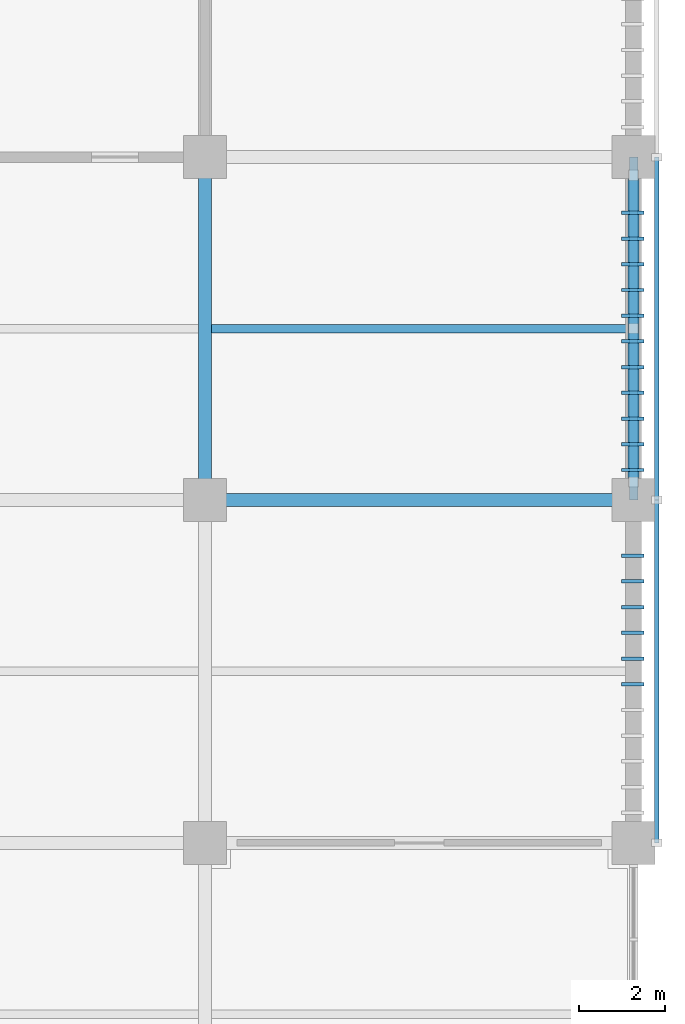
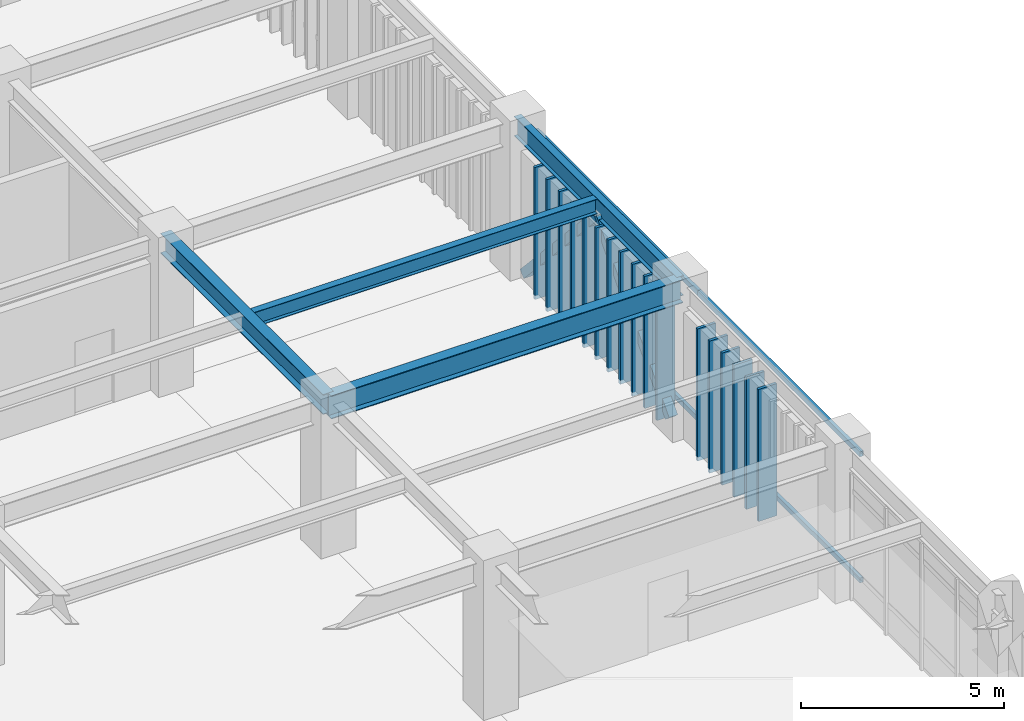
# One storey, part 34 of 117: 23 members, 4 beams.
"""IFC4 building model written with IfcOpenShell, lengths in metres."""

import ifcopenshell
import ifcopenshell.guid

model = None  # the IFC model being written
_history = None  # IfcOwnerHistory: only IFC2X3 demands one
_inside = {}  # id of a spatial element -> (the spatial element, [elements in it])
_under = {}  # id of a project, library or spatial element -> (it, [spatial elements below it])
_declared = {}  # id of a project -> (the project, [libraries it declares])
_typed = {}  # id of a type object -> (the type object, [elements of that type])
_made_of = {}  # id of a material, layer set ... -> (it, [elements and type objects made of it])


def new_model(schema):
    """Start an empty IFC model of exactly this schema.

    Asked for "IFC4X3", IfcOpenShell would pick the latest addendum, in which some entities
    have other attributes; the version numbers below select the first issue.
    IFC2X3 requires an IfcOwnerHistory on every rooted entity: one is made here for all.
    """
    global model, _history
    if schema == "IFC4X3":
        model = ifcopenshell.file(schema_version=(4, 3, 0, 0))
    else:
        model = ifcopenshell.file(schema=schema)
    _inside.clear()
    _under.clear()
    _declared.clear()
    _typed.clear()
    _made_of.clear()
    _history = None
    if model.schema == "IFC2X3":
        org = make("IfcOrganization", Name="unknown")
        user = make(
            "IfcPersonAndOrganization",
            ThePerson=make("IfcPerson", FamilyName="unknown"),
            TheOrganization=org,
        )
        app = make(
            "IfcApplication",
            ApplicationDeveloper=org,
            Version="unknown",
            ApplicationFullName="unknown",
            ApplicationIdentifier="unknown",
        )
        _history = make(
            "IfcOwnerHistory",
            OwningUser=user,
            OwningApplication=app,
            ChangeAction="ADDED",
            CreationDate=0,
        )
    return model


def make(cls, **values):
    """One entity of the class cls with the attributes given. An attribute that is None is left unset."""
    return model.create_entity(
        cls, **{name: value for name, value in values.items() if value is not None}
    )


def rooted(cls, **values):
    """An entity with a GlobalId (a new one), such as an element, a storey or a relation."""
    return make(cls, GlobalId=ifcopenshell.guid.new(), OwnerHistory=_history, **values)


def si_unit(unit_type, name, prefix=None):
    """IfcSIUnit, for example si_unit("LENGTHUNIT", "METRE", prefix="MILLI")."""
    return make("IfcSIUnit", UnitType=unit_type, Prefix=prefix, Name=name)


def assignment(units):
    """IfcUnitAssignment: the units of a project."""
    return None if units is None else make("IfcUnitAssignment", Units=units)


def point(xyz):
    """IfcCartesianPoint."""
    return None if xyz is None else make("IfcCartesianPoint", Coordinates=xyz)


def direction(xyz):
    """IfcDirection."""
    return None if xyz is None else make("IfcDirection", DirectionRatios=xyz)


def frame(location, z_axis=None, x_axis=None):
    """IfcAxis2Placement3D, a coordinate frame: its origin and axes. An axis left out is left unset."""
    return make(
        "IfcAxis2Placement3D",
        Location=point(location),
        Axis=direction(z_axis),
        RefDirection=direction(x_axis),
    )


def frame_2d(location, x_axis=None):
    """IfcAxis2Placement2D, a coordinate frame in the plane: its origin and x axis."""
    return make(
        "IfcAxis2Placement2D", Location=point(location), RefDirection=direction(x_axis)
    )


def origin():
    """The frame at (0, 0, 0) with its axes left unset."""
    return frame((0.0, 0.0, 0.0))


def origin_2d():
    """The frame at (0, 0) in the plane with its x axis left unset."""
    return frame_2d((0.0, 0.0))


def place(relative_to, where):
    """IfcLocalPlacement: puts the frame where relative to a parent placement (None: the world)."""
    return make(
        "IfcLocalPlacement", PlacementRelTo=relative_to, RelativePlacement=where
    )


def context(
    kind, dimensions, precision=None, world=None, true_north=None, identifier=None
):
    """IfcGeometricRepresentationContext, for example the 3D "Model" context."""
    return make(
        "IfcGeometricRepresentationContext",
        ContextIdentifier=identifier,
        ContextType=kind,
        CoordinateSpaceDimension=dimensions,
        Precision=precision,
        WorldCoordinateSystem=world,
        TrueNorth=true_north,
    )


def subcontext(parent, identifier, kind, view, scale=None):
    """IfcGeometricRepresentationSubContext, for example "Body" below "Model"."""
    return make(
        "IfcGeometricRepresentationSubContext",
        ContextIdentifier=identifier,
        ContextType=kind,
        ParentContext=parent,
        TargetScale=scale,
        TargetView=view,
    )


def project(units=None, contexts=None):
    """IfcProject with its units and contexts."""
    return rooted(
        "IfcProject",
        Name="project",
        RepresentationContexts=contexts,
        UnitsInContext=assignment(units),
    )


def spatial(cls, under=None, at=None, **own):
    """A site, building, storey or space (cls), placed at a placement, below another one or the project."""
    s = rooted(cls, ObjectPlacement=at, **own)
    if under is not None:
        _under.setdefault(under.id(), (under, []))[1].append(s)
    return s


def profile(cls, at=None, kind="AREA", **sizes):
    """A parametric profile (cls). Its sizes go by their IFC names, for example OverallWidth=200.0."""
    return make(cls, ProfileType=kind, Position=at, **sizes)


def rectangle(**sizes):
    """IfcRectangleProfileDef."""
    return profile("IfcRectangleProfileDef", **sizes)


def hollow_rectangle(**sizes):
    """IfcRectangleHollowProfileDef."""
    return profile("IfcRectangleHollowProfileDef", **sizes)


def i_section(**sizes):
    """IfcIShapeProfileDef."""
    return profile("IfcIShapeProfileDef", **sizes)


def extrude(swept, where, along, depth):
    """IfcExtrudedAreaSolid: the profile swept, set in the frame where, extruded along a direction by depth."""
    return make(
        "IfcExtrudedAreaSolid",
        SweptArea=swept,
        Position=where,
        ExtrudedDirection=direction(along),
        Depth=depth,
    )


def shape(context_of_items, identifier, shape_type, items):
    """IfcShapeRepresentation: the items that make up one representation, for example the "Body"."""
    return make(
        "IfcShapeRepresentation",
        ContextOfItems=context_of_items,
        RepresentationIdentifier=identifier,
        RepresentationType=shape_type,
        Items=items,
    )


def material(Name=None, Category=None):
    """IfcMaterial."""
    return make("IfcMaterial", Name=Name, Category=Category)


def material_profile(
    of_material, cross_section, Name=None, Category=None, Priority=None
):
    """IfcMaterialProfile: a cross section and its material."""
    return make(
        "IfcMaterialProfile",
        Name=Name,
        Material=of_material,
        Profile=cross_section,
        Priority=Priority,
        Category=Category,
    )


def profile_set(profiles, Name=None, composite=None):
    """IfcMaterialProfileSet."""
    return make(
        "IfcMaterialProfileSet",
        Name=Name,
        MaterialProfiles=profiles,
        CompositeProfile=composite,
    )


def made_of(thing, what):
    """Note that an element or type object is made of a material, layer set ...; save() writes the relation."""
    if what is not None:
        _made_of.setdefault(what.id(), (what, []))[1].append(thing)
    return thing


def type_object(cls, material=None, **own):
    """A type object (cls), such as IfcWallType, which elements share."""
    return made_of(rooted(cls, **own), material)


def element(
    cls,
    number,
    at=None,
    inside=None,
    cuts=None,
    type_object=None,
    material=None,
    context=None,
    identifier="Body",
    shape_type=None,
    held_by="IfcProductDefinitionShape",
    body=None,
    shapes=None,
    **own,
):
    """One element of the class cls, such as IfcWall. Its Tag is "e" and its number.

    at: its placement. inside: the storey or other place that contains it. cuts: it is an
    opening in that element (IfcRelVoidsElement). A single representation is given by context,
    identifier, shape_type and body (its items); several are given by shapes. held_by: the class
    of the entity that holds the representations. save() writes the other relations.
    """
    e = rooted(cls, Tag="e%d" % number, ObjectPlacement=at, **own)
    if body is not None:
        shapes = [shape(context, identifier, shape_type, body)]
    if shapes is not None:
        e.Representation = make(held_by, Representations=shapes)
    if inside is not None:
        _inside.setdefault(inside.id(), (inside, []))[1].append(e)
    if cuts is not None:
        rooted(
            "IfcRelVoidsElement", RelatingBuildingElement=cuts, RelatedOpeningElement=e
        )
    if type_object is not None:
        _typed.setdefault(type_object.id(), (type_object, []))[1].append(e)
    return made_of(e, material)


def aggregate(whole, parts):
    """IfcRelAggregates: a whole, such as a stair, and the parts it consists of."""
    return rooted("IfcRelAggregates", RelatingObject=whole, RelatedObjects=parts)


def save(model, path):
    """Write the relations noted so far, then the file.

    IfcRelAggregates (storeys below a building ...), IfcRelContainedInSpatialStructure (elements
    in a storey), IfcRelDefinesByType, IfcRelAssociatesMaterial and IfcRelDeclares: one each for
    every whole, place, type object, material and project.
    """
    for whole, parts in _under.values():
        aggregate(whole, parts)
    for where, things in _inside.values():
        rooted(
            "IfcRelContainedInSpatialStructure",
            RelatedElements=things,
            RelatingStructure=where,
        )
    for kind, things in _typed.values():
        rooted("IfcRelDefinesByType", RelatedObjects=things, RelatingType=kind)
    for what, things in _made_of.values():
        rooted("IfcRelAssociatesMaterial", RelatedObjects=things, RelatingMaterial=what)
    for by, libraries in _declared.values():
        rooted("IfcRelDeclares", RelatingContext=by, RelatedDefinitions=libraries)
    model.write(path)


model = new_model("IFC4")

# Units and contexts
model_context = context("Model", 3, precision=1e-05, world=origin(), true_north=direction((0.0, 1.0)))
body_context = subcontext(model_context, "Body", "Model", "MODEL_VIEW")
ifc_project = project(units=[si_unit("LENGTHUNIT", "METRE"), si_unit("AREAUNIT", "SQUARE_METRE"), si_unit("VOLUMEUNIT", "CUBIC_METRE"), si_unit("PLANEANGLEUNIT", "RADIAN"), si_unit("MASSUNIT", "GRAM", prefix="KILO")], contexts=[model_context])

# Site, building, storey
site_placement = place(None, origin())
site = spatial("IfcSite", under=ifc_project, at=site_placement, CompositionType="ELEMENT")
building_placement = place(site_placement, origin())
building = spatial("IfcBuilding", under=site, at=building_placement, Name="Haebicheon Civic Stadium", CompositionType="ELEMENT")
storey_placement = place(building_placement, frame((0.0, 0.0, 4.800048828125)))
storey = spatial("IfcBuildingStorey", under=building, at=storey_placement, Name="L02", CompositionType="ELEMENT", Elevation=4.800048828125)

# Beams
ifc_material_1 = material(Name="Steel SM355 (S355)", Category="steel")
ifc_material_profile_1 = material_profile(ifc_material_1, i_section(OverallWidth=0.300048828125, OverallDepth=0.60009765625, WebThickness=0.011962890625, FlangeThickness=0.02001953125, at=origin_2d()), Name="H-600x300x12x20")
ifc_profile_set_1 = profile_set([ifc_material_profile_1], Name="Steel SM355 (S355)")
beam_type_1 = type_object("IfcBeamType", Name="BM-ST-H600A", PredefinedType="BEAM", material=ifc_profile_set_1)
beam_1_placement = place(storey_placement, frame((226.0, 56.0, 4.219970703125), z_axis=(0.0, 1.0, 0.0), x_axis=(-1.0, 0.0, 0.0)))
element("IfcBeam", 1, at=beam_1_placement, inside=storey, type_object=beam_type_1, material=ifc_profile_set_1, Name="L02 girder 29/H-J", PredefinedType="BEAM", context=body_context, shape_type="SweptSolid", body=[
    extrude(i_section(OverallWidth=0.300048828125, OverallDepth=0.60009765625, WebThickness=0.011962890625, FlangeThickness=0.02001953125, at=origin_2d()), origin(), (0.0, 0.0, 1.0), 8.0),
])
ifc_material_2 = material(Name="Steel SM490", Category="steel")
ifc_material_profile_2 = material_profile(ifc_material_2, i_section(OverallWidth=0.300048828125, OverallDepth=0.699951171875, WebThickness=0.012939453125, FlangeThickness=0.02392578125, at=origin_2d()), Name="H-700x300x13x24")
ifc_profile_set_2 = profile_set([ifc_material_profile_2], Name="Steel SM490")
beam_type_2 = type_object("IfcBeamType", Name="BM-ST-H700", PredefinedType="BEAM", material=ifc_profile_set_2)
beam_2_placement = place(storey_placement, frame((226.0, 56.0, 4.169921875), z_axis=(1.0, 0.0, 0.0), x_axis=(0.0, 1.0, 0.0)))
element("IfcBeam", 2, at=beam_2_placement, inside=storey, type_object=beam_type_2, material=ifc_profile_set_2, Name="L02 beam H/29-30", PredefinedType="BEAM", context=body_context, shape_type="SweptSolid", body=[
    extrude(i_section(OverallWidth=0.300048828125, OverallDepth=0.699951171875, WebThickness=0.012939453125, FlangeThickness=0.02392578125, at=origin_2d()), origin(), (0.0, 0.0, 1.0), 10.0),
])

# Members
ifc_material_3 = material(Name="Steel SM490", Category="steel")
ifc_material_profile_3 = material_profile(ifc_material_3, hollow_rectangle(XDim=0.25, YDim=0.25, WallThickness=0.011962890625, at=origin_2d()), Name="RHS-250x250x12.0")
ifc_profile_set_3 = profile_set([ifc_material_profile_3], Name="Steel SM490")
member_type_1 = type_object("IfcMemberType", Name="BRC-RHS250", PredefinedType="BRACE", material=ifc_profile_set_3)
for number, where, z_axis, x_axis, name in (
    (3, (236.0, 56.419921875, 0.0400390625), (0.0, 0.676254882326, 0.736667723014), (-1.0, 0.0, 0.0), "BR250 chevron brace L02 28-07 A"),
    (4, (236.0, 63.580078125, 0.0400390625), (0.0, -0.676254882326, 0.736667723014), (1.0, 0.0, 0.0), "BR250 chevron brace L02 28-07 B"),
):
    element("IfcMember", number, at=place(storey_placement, frame(where, z_axis=z_axis, x_axis=x_axis)), inside=storey, type_object=member_type_1, material=ifc_profile_set_3, Name=name, PredefinedType="BRACE", context=body_context, shape_type="SweptSolid", body=[
        extrude(hollow_rectangle(XDim=0.25, YDim=0.25, WallThickness=0.011962890625, at=origin_2d()), origin(), (0.0, 0.0, 1.0), 5.2939453125),
    ])

# Beam
ifc_material_4 = material(Name="Steel SM355 (S355)", Category="steel")
ifc_material_profile_4 = material_profile(ifc_material_4, i_section(OverallWidth=0.199951171875, OverallDepth=0.449951171875, WebThickness=0.009033203125, FlangeThickness=0.013916015625, at=origin_2d()), Name="H-450x200x9x14")
ifc_profile_set_4 = profile_set([ifc_material_profile_4], Name="Steel SM355 (S355)")
beam_type_3 = type_object("IfcBeamType", Name="JST-ST-H450", PredefinedType="JOIST", material=ifc_profile_set_4)
beam_3_placement = place(storey_placement, frame((226.14990234375, 60.0, 4.294921875), z_axis=(1.0, 0.0, 0.0), x_axis=(0.0, 1.0, 0.0)))
element("IfcBeam", 5, at=beam_3_placement, inside=storey, type_object=beam_type_3, material=ifc_profile_set_4, Name="L02 secondary joist 28-07", PredefinedType="JOIST", context=body_context, shape_type="SweptSolid", body=[
    extrude(i_section(OverallWidth=0.199951171875, OverallDepth=0.449951171875, WebThickness=0.009033203125, FlangeThickness=0.013916015625, at=origin_2d()), origin(), (0.0, 0.0, 1.0), 9.75),
])

# Members
ifc_material_5 = material(Name="Acetylated timber GL28h", Category="wood")
ifc_material_profile_5 = material_profile(ifc_material_5, rectangle(XDim=0.080078125, YDim=0.52001953125, at=origin_2d()), Name="TMB-LOUV-80x520")
ifc_profile_set_5 = profile_set([ifc_material_profile_5], Name="Acetylated timber GL28h")
member_type_2 = type_object("IfcMemberType", Name="LVR-TIM-520x80", PredefinedType="PLATE", material=ifc_profile_set_5)
for number, where, z_axis, x_axis, name in (
    (6, (235.97998046875, 51.699951171875, -0.1201171875), (0.0, 0.0, 1.0), (0.0, 1.0, 0.0), "SCR-COMM L02 acetylated timber storm louvre fin 1.6"),
    (7, (235.97998046875, 52.300048828125, -0.1201171875), (0.0, 0.0, 1.0), (0.0, 1.0, 0.0), "SCR-COMM L02 acetylated timber storm louvre fin 1.7"),
    (8, (235.97998046875, 52.89990234375, -0.1201171875), (0.0, 0.0, 1.0), (0.0, 1.0, 0.0), "SCR-COMM L02 acetylated timber storm louvre fin 1.8"),
    (9, (235.97998046875, 53.5, -0.1201171875), (0.0, 0.0, 1.0), (0.0, 1.0, 0.0), "SCR-COMM L02 acetylated timber storm louvre fin 1.9"),
    (10, (235.97998046875, 54.10009765625, -0.1201171875), (0.0, 0.0, 1.0), (0.0, 1.0, 0.0), "SCR-COMM L02 acetylated timber storm louvre fin 1.10"),
    (11, (235.97998046875, 54.699951171875, -0.1201171875), (0.0, 0.0, 1.0), (0.0, 1.0, 0.0), "SCR-COMM L02 acetylated timber storm louvre fin 1.11"),
    (12, (235.97998046875, 56.699951171875, -0.1201171875), (0.0, 0.0, 1.0), (0.0, 1.0, 0.0), "SCR-COMM L02 acetylated timber storm louvre fin 2.1"),
    (13, (235.97998046875, 57.300048828125, -0.1201171875), (0.0, 0.0, 1.0), (0.0, 1.0, 0.0), "SCR-COMM L02 acetylated timber storm louvre fin 2.2"),
    (14, (235.97998046875, 57.89990234375, -0.1201171875), (0.0, 0.0, 1.0), (0.0, 1.0, 0.0), "SCR-COMM L02 acetylated timber storm louvre fin 2.3"),
    (15, (235.97998046875, 58.5, -0.1201171875), (0.0, 0.0, 1.0), (0.0, 1.0, 0.0), "SCR-COMM L02 acetylated timber storm louvre fin 2.4"),
    (16, (235.97998046875, 59.10009765625, -0.1201171875), (0.0, 0.0, 1.0), (0.0, 1.0, 0.0), "SCR-COMM L02 acetylated timber storm louvre fin 2.5"),
    (17, (235.97998046875, 59.699951171875, -0.1201171875), (0.0, 0.0, 1.0), (0.0, 1.0, 0.0), "SCR-COMM L02 acetylated timber storm louvre fin 2.6"),
    (18, (235.97998046875, 60.300048828125, -0.1201171875), (0.0, 0.0, 1.0), (0.0, 1.0, 0.0), "SCR-COMM L02 acetylated timber storm louvre fin 2.7"),
    (19, (235.97998046875, 60.89990234375, -0.1201171875), (0.0, 0.0, 1.0), (0.0, 1.0, 0.0), "SCR-COMM L02 acetylated timber storm louvre fin 2.8"),
    (20, (235.97998046875, 61.5, -0.1201171875), (0.0, 0.0, 1.0), (0.0, 1.0, 0.0), "SCR-COMM L02 acetylated timber storm louvre fin 2.9"),
    (21, (235.97998046875, 62.10009765625, -0.1201171875), (0.0, 0.0, 1.0), (0.0, 1.0, 0.0), "SCR-COMM L02 acetylated timber storm louvre fin 2.10"),
    (22, (235.97998046875, 62.699951171875, -0.1201171875), (0.0, 0.0, 1.0), (0.0, 1.0, 0.0), "SCR-COMM L02 acetylated timber storm louvre fin 2.11"),
):
    element("IfcMember", number, at=place(storey_placement, frame(where, z_axis=z_axis, x_axis=x_axis)), inside=storey, type_object=member_type_2, material=ifc_profile_set_5, Name=name, PredefinedType="PLATE", context=body_context, shape_type="SweptSolid", body=[
        extrude(rectangle(XDim=0.080078125, YDim=0.52001953125, at=origin_2d()), origin(), (0.0, 0.0, 1.0), 3.969970703125),
    ])

# Beam
ifc_material_6 = material(Name="Steel SM355 (S355)", Category="steel")
ifc_material_profile_6 = material_profile(ifc_material_6, i_section(OverallWidth=0.199951171875, OverallDepth=0.60009765625, WebThickness=0.010986328125, FlangeThickness=0.01708984375, at=origin_2d()), Name="H-600x200x11x17")
ifc_profile_set_6 = profile_set([ifc_material_profile_6], Name="Steel SM355 (S355)")
beam_type_4 = type_object("IfcBeamType", Name="SPD-ST-H600B", PredefinedType="SPANDREL", material=ifc_profile_set_6)
beam_4_placement = place(storey_placement, frame((236.0, 56.0, 4.219970703125), z_axis=(0.0, 1.0, 0.0), x_axis=(-1.0, 0.0, 0.0)))
element("IfcBeam", 23, at=beam_4_placement, inside=storey, type_object=beam_type_4, material=ifc_profile_set_6, Name="L02 girder 30/H-J", PredefinedType="SPANDREL", context=body_context, shape_type="SweptSolid", body=[
    extrude(i_section(OverallWidth=0.199951171875, OverallDepth=0.60009765625, WebThickness=0.010986328125, FlangeThickness=0.01708984375, at=origin_2d()), origin(), (0.0, 0.0, 1.0), 8.0),
])

# Members
ifc_material_7 = material(Name="Steel SM355 (S355)", Category="steel")
ifc_material_profile_7 = material_profile(ifc_material_7, hollow_rectangle(XDim=0.10009765625, YDim=0.14990234375, WallThickness=0.006103515625, at=origin_2d()), Name="RHS-150x100x6.0")
ifc_profile_set_7 = profile_set([ifc_material_profile_7], Name="Steel SM355 (S355)")
member_type_3 = type_object("IfcMemberType", Name="SUB-RHS150", PredefinedType="STRINGER", material=ifc_profile_set_7)
for number, where, z_axis, x_axis, name in (
    (24, (236.5400390625, 48.0, 0.06005859375), (0.0, 1.0, 0.0), (-1.0, 0.0, 0.0), "SCR-COMM L02 storm-louvre bottom carrier rail 1"),
    (25, (236.5400390625, 48.0, 3.849853515625), (0.0, 1.0, 0.0), (-1.0, 0.0, 0.0), "SCR-COMM L02 storm-louvre top carrier rail 1"),
    (26, (236.5400390625, 56.0, 0.06005859375), (0.0, 1.0, 0.0), (-1.0, 0.0, 0.0), "SCR-COMM L02 storm-louvre bottom carrier rail 2"),
    (27, (236.5400390625, 56.0, 3.849853515625), (0.0, 1.0, 0.0), (-1.0, 0.0, 0.0), "SCR-COMM L02 storm-louvre top carrier rail 2"),
):
    element("IfcMember", number, at=place(storey_placement, frame(where, z_axis=z_axis, x_axis=x_axis)), inside=storey, type_object=member_type_3, material=ifc_profile_set_7, Name=name, PredefinedType="STRINGER", context=body_context, shape_type="SweptSolid", body=[
        extrude(hollow_rectangle(XDim=0.10009765625, YDim=0.14990234375, WallThickness=0.006103515625, at=origin_2d()), origin(), (0.0, 0.0, 1.0), 8.0),
    ])

save(model, "model.ifc")
